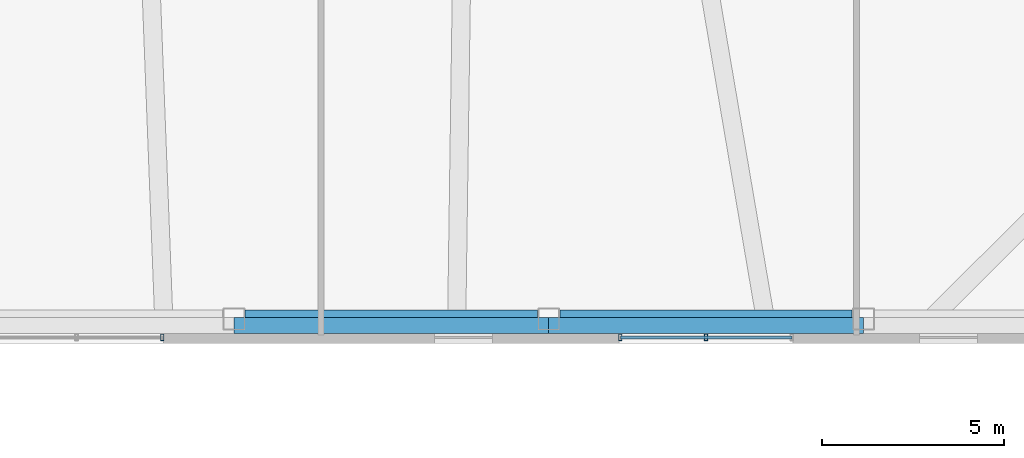
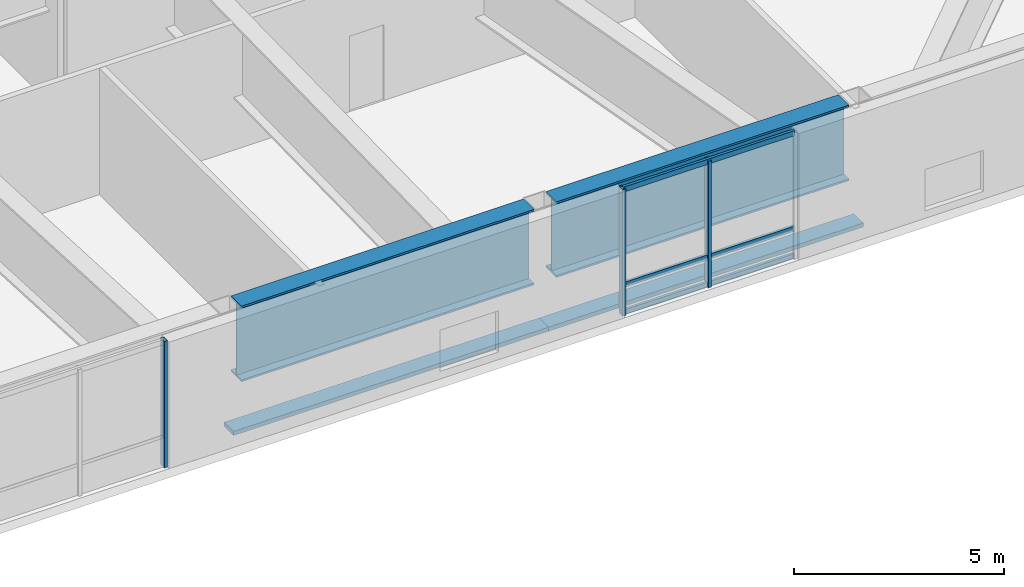
# One storey, part 4 of 19: 8 members, 2 beams, 2 elements without a shape of their own.
"""IFC4 building model written with IfcOpenShell, lengths in metres."""

from ifc_helpers import new_model, si_unit, direction, frame, origin, origin_2d, place, context, subcontext, project, spatial, rectangle, hollow_rectangle, i_section, extrude, material, layer, layer_set, material_profile, profile_set, type_object, element, aggregate, save


model = new_model("IFC4")

# Units and contexts
model_context = context("Model", 3, precision=1e-05, world=origin(), true_north=direction((0.0, 1.0)))
body_context = subcontext(model_context, "Body", "Model", "MODEL_VIEW")
ifc_project = project(units=[si_unit("LENGTHUNIT", "METRE"), si_unit("AREAUNIT", "SQUARE_METRE"), si_unit("VOLUMEUNIT", "CUBIC_METRE"), si_unit("PLANEANGLEUNIT", "RADIAN"), si_unit("MASSUNIT", "GRAM", prefix="KILO")], contexts=[model_context])

# Site, building, storey
site_placement = place(None, origin())
site = spatial("IfcSite", under=ifc_project, at=site_placement, CompositionType="ELEMENT")
building_placement = place(site_placement, origin())
building = spatial("IfcBuilding", under=site, at=building_placement, Name="Tavrogorsk Clinical Tower", CompositionType="ELEMENT")
storey_placement = place(building_placement, frame((0.0, 0.0, 204.199951171875)))
storey = spatial("IfcBuildingStorey", under=building, at=storey_placement, Name="L47", CompositionType="ELEMENT", Elevation=204.199951171875)

# Members
ifc_material_1 = material(Name="Anodised aluminium alloy AW-6063", Category="aluminium")
ifc_material_profile_1 = material_profile(ifc_material_1, rectangle(XDim=0.449951171875, YDim=0.1201171875, at=origin_2d()), Name="ALU-SUNSHADE-450x120")
ifc_profile_set_1 = profile_set([ifc_material_profile_1], Name="Anodised aluminium alloy AW-6063")
member_type_1 = type_object("IfcMemberType", Name="ChicagoSunshade_450x120", PredefinedType="USERDEFINED", material=ifc_profile_set_1)
for number, where, z_axis, x_axis, name in (
    (1, (-1.931396484375, -20.60009765625, 0.179931640625), (1.0, 0.0, 0.0), (0.0, 1.0, 0.0), "L47 South Aluminium Sunshade S4"),
    (2, (6.7314453125, -20.60009765625, 0.179931640625), (1.0, 0.0, 0.0), (0.0, 1.0, 0.0), "L47 South Aluminium Sunshade S5"),
):
    element("IfcMember", number, at=place(storey_placement, frame(where, z_axis=z_axis, x_axis=x_axis)), inside=storey, type_object=member_type_1, Name=name, ObjectType="SUNSHADE", PredefinedType="USERDEFINED", context=body_context, shape_type="SweptSolid", body=[
        extrude(rectangle(XDim=0.449951171875, YDim=0.1201171875, at=origin_2d()), origin(), (0.0, 0.0, 1.0), 8.662841796875),
    ])

# Curtain wall, member
ifc_material_2 = material(Name="Anodised aluminium and triple IGU glazing", Category="aluminium")
ifc_layer = layer(ifc_material_2, 0.179931640625)
ifc_layer_set = layer_set([ifc_layer], Name="Anodised aluminium and triple IGU glazing")
curtain_wall_type = type_object("IfcCurtainWallType", Name="CW3_SouthSlot", PredefinedType="NOTDEFINED", material=ifc_layer_set)
curtain_wall_1_placement = place(storey_placement, origin())
curtain_wall_1 = element("IfcCurtainWall", 3, at=curtain_wall_1_placement, inside=storey, type_object=curtain_wall_type, Name="L47 Curtain Wall CW-L47-S-SLOT-1", PredefinedType="NOTDEFINED")
ifc_material_3 = material(Name="Anodised aluminium alloy AW-6060", Category="aluminium")
ifc_material_profile_2 = material_profile(ifc_material_3, hollow_rectangle(XDim=0.090087890625, YDim=0.179931640625, WallThickness=0.00634765625, at=origin_2d()), Name="RHS-180x90x6.3")
ifc_profile_set_2 = profile_set([ifc_material_profile_2], Name="Anodised aluminium alloy AW-6060")
member_type_2 = type_object("IfcMemberType", Name="CwMullion_180x90", PredefinedType="MULLION", material=ifc_profile_set_2)
member_1_placement = place(storey_placement, frame((-3.90380859375, -20.929931640625, 0.0), z_axis=(0.0, 0.0, 1.0), x_axis=(1.0, 0.0, 0.0)))
member_1 = element("IfcMember", 4, at=member_1_placement, type_object=member_type_2, Name="CW-L47-S-SLOT-1 Mullion 3", PredefinedType="MULLION", context=body_context, shape_type="SweptSolid", body=[
    extrude(hollow_rectangle(XDim=0.090087890625, YDim=0.179931640625, WallThickness=0.00634765625, at=origin_2d()), origin(), (0.0, 0.0, 1.0), 3.679931640625),
])
aggregate(curtain_wall_1, [member_1])

# Curtain wall, members
curtain_wall_2_placement = place(storey_placement, origin())
curtain_wall_2 = element("IfcCurtainWall", 5, at=curtain_wall_2_placement, inside=storey, type_object=curtain_wall_type, Name="L47 Curtain Wall CW-L47-S-SLOT-2", PredefinedType="NOTDEFINED")
member_2_placement = place(storey_placement, frame((8.703857421875, -20.929931640625, 0.0), z_axis=(0.0, 0.0, 1.0), x_axis=(1.0, 0.0, 0.0)))
member_2 = element("IfcMember", 6, at=member_2_placement, type_object=member_type_2, Name="CW-L47-S-SLOT-2 Mullion 1", PredefinedType="MULLION", context=body_context, shape_type="SweptSolid", body=[
    extrude(hollow_rectangle(XDim=0.090087890625, YDim=0.179931640625, WallThickness=0.00634765625, at=origin_2d()), origin(), (0.0, 0.0, 1.0), 3.679931640625),
])
member_3_placement = place(storey_placement, frame((11.062744140625, -20.929931640625, 0.0), z_axis=(0.0, 0.0, 1.0), x_axis=(1.0, 0.0, 0.0)))
member_3 = element("IfcMember", 7, at=member_3_placement, type_object=member_type_2, Name="CW-L47-S-SLOT-2 Mullion 2", PredefinedType="MULLION", context=body_context, shape_type="SweptSolid", body=[
    extrude(hollow_rectangle(XDim=0.090087890625, YDim=0.179931640625, WallThickness=0.00634765625, at=origin_2d()), origin(), (0.0, 0.0, 1.0), 3.679931640625),
])
ifc_material_4 = material(Name="Anodised aluminium alloy AW-6060", Category="aluminium")
ifc_material_profile_3 = material_profile(ifc_material_4, hollow_rectangle(XDim=0.074951171875, YDim=0.14990234375, WallThickness=0.0048828125, at=origin_2d()), Name="RHS-150x75x5")
ifc_profile_set_3 = profile_set([ifc_material_profile_3], Name="Anodised aluminium alloy AW-6060")
member_type_3 = type_object("IfcMemberType", Name="CwTransom_150x75", PredefinedType="USERDEFINED", material=ifc_profile_set_3)
member_4_placement = place(storey_placement, frame((8.703857421875, -20.929931640625, 0.050048828125), z_axis=(1.0, 0.0, 0.0), x_axis=(0.0, 1.0, 0.0)))
member_4 = element("IfcMember", 8, at=member_4_placement, type_object=member_type_3, Name="CW-L47-S-SLOT-2 Transom 1", ObjectType="TRANSOM", PredefinedType="USERDEFINED", context=body_context, shape_type="SweptSolid", body=[
    extrude(hollow_rectangle(XDim=0.074951171875, YDim=0.14990234375, WallThickness=0.0048828125, at=origin_2d()), origin(), (0.0, 0.0, 1.0), 4.718017578125),
])
member_5_placement = place(storey_placement, frame((8.703857421875, -20.929931640625, 0.85009765625), z_axis=(1.0, 0.0, 0.0), x_axis=(0.0, 1.0, 0.0)))
member_5 = element("IfcMember", 9, at=member_5_placement, type_object=member_type_3, Name="CW-L47-S-SLOT-2 Transom 2", ObjectType="TRANSOM", PredefinedType="USERDEFINED", context=body_context, shape_type="SweptSolid", body=[
    extrude(hollow_rectangle(XDim=0.074951171875, YDim=0.14990234375, WallThickness=0.0048828125, at=origin_2d()), origin(), (0.0, 0.0, 1.0), 4.718017578125),
])
member_6_placement = place(storey_placement, frame((8.703857421875, -20.929931640625, 3.630126953125), z_axis=(1.0, 0.0, 0.0), x_axis=(0.0, 1.0, 0.0)))
member_6 = element("IfcMember", 10, at=member_6_placement, type_object=member_type_3, Name="CW-L47-S-SLOT-2 Transom 3", ObjectType="TRANSOM", PredefinedType="USERDEFINED", context=body_context, shape_type="SweptSolid", body=[
    extrude(hollow_rectangle(XDim=0.074951171875, YDim=0.14990234375, WallThickness=0.0048828125, at=origin_2d()), origin(), (0.0, 0.0, 1.0), 4.718017578125),
])
aggregate(curtain_wall_2, [member_2, member_3, member_4, member_5, member_6])

# Beams
ifc_material_5 = material(Name="Structural steel S440", Category="steel")
ifc_material_profile_4 = material_profile(ifc_material_5, i_section(OverallWidth=0.5, OverallDepth=2.199951171875, WebThickness=0.035888671875, FlangeThickness=0.054931640625, at=origin_2d()), Name="DK-2200x500x36x55")
ifc_profile_set_4 = profile_set([ifc_material_profile_4], Name="Structural steel S440")
beam_type = type_object("IfcBeamType", Name="TransferGirder_DK2200", PredefinedType="USERDEFINED", material=ifc_profile_set_4)
beam_1_placement = place(storey_placement, frame((-1.623291015625, -20.419921875, 2.580078125), z_axis=(1.0, 0.0, 0.0), x_axis=(0.0, 1.0, 0.0)))
element("IfcBeam", 11, at=beam_1_placement, inside=storey, type_object=beam_type, Name="L47 Perimeter Spandrel S4-S5", ObjectType="GIRDER", PredefinedType="USERDEFINED", context=body_context, shape_type="SweptSolid", body=[
    extrude(i_section(OverallWidth=0.5, OverallDepth=2.199951171875, WebThickness=0.035888671875, FlangeThickness=0.054931640625, at=origin_2d()), origin(), (0.0, 0.0, 1.0), 8.046630859375),
])
beam_2_placement = place(storey_placement, frame((7.039306640625, -20.419921875, 2.580078125), z_axis=(1.0, 0.0, 0.0), x_axis=(0.0, 1.0, 0.0)))
element("IfcBeam", 12, at=beam_2_placement, inside=storey, type_object=beam_type, Name="L47 Perimeter Spandrel S5-S6", ObjectType="GIRDER", PredefinedType="USERDEFINED", context=body_context, shape_type="SweptSolid", body=[
    extrude(i_section(OverallWidth=0.5, OverallDepth=2.199951171875, WebThickness=0.035888671875, FlangeThickness=0.054931640625, at=origin_2d()), origin(), (0.0, 0.0, 1.0), 8.046875),
])

save(model, "model.ifc")
